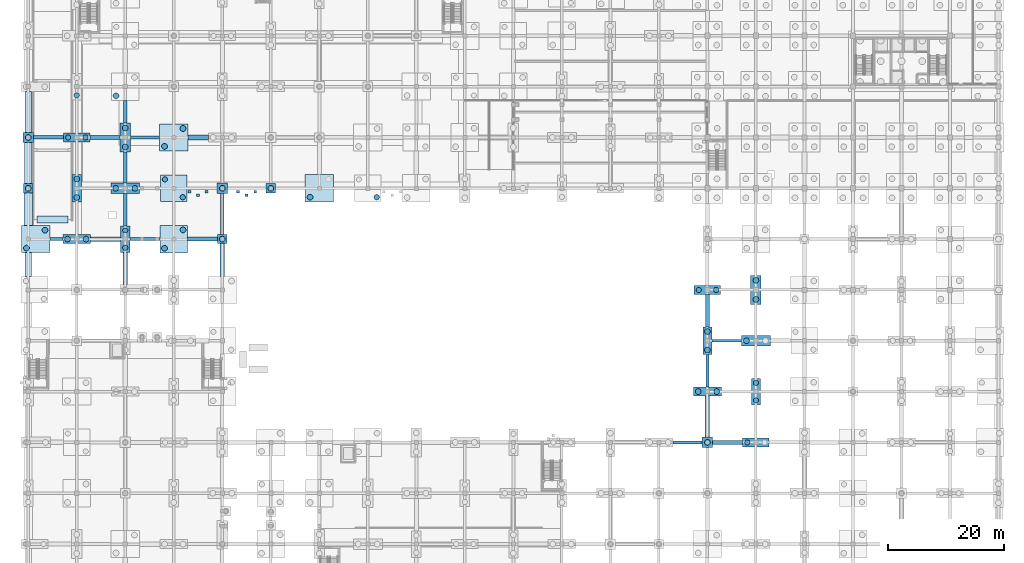
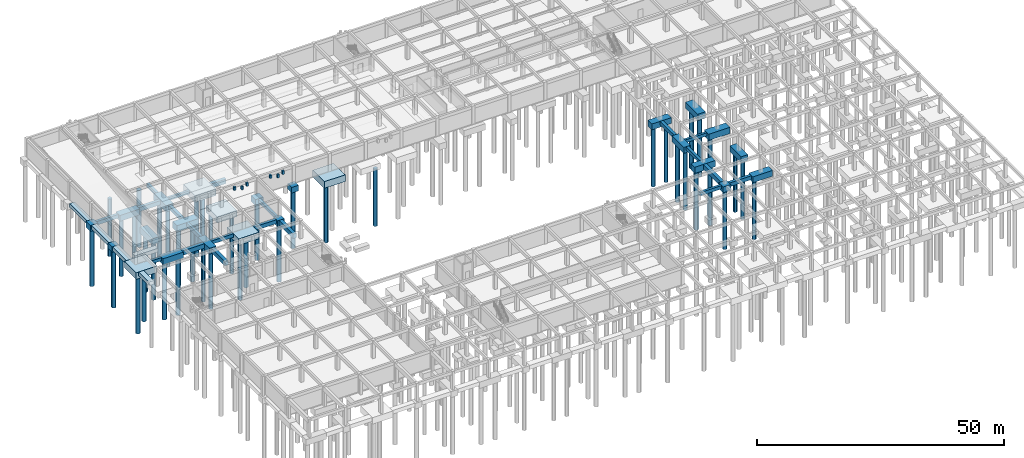
# One storey, part 5 of 41: 55 footings, 42 piles.
"""IFC4 building model written with IfcOpenShell, lengths in metres."""

from ifc_helpers import new_model, si_unit, direction, frame, origin, origin_2d, place, context, subcontext, project, spatial, rectangle, circle, extrude, material, material_profile, profile_set, type_object, element, save


model = new_model("IFC4")

# Units and contexts
model_context = context("Model", 3, precision=1e-05, world=origin(), true_north=direction((0.0, 1.0)))
body_context = subcontext(model_context, "Body", "Model", "MODEL_VIEW")
ifc_project = project(units=[si_unit("LENGTHUNIT", "METRE"), si_unit("AREAUNIT", "SQUARE_METRE"), si_unit("VOLUMEUNIT", "CUBIC_METRE"), si_unit("PLANEANGLEUNIT", "RADIAN"), si_unit("MASSUNIT", "GRAM", prefix="KILO")], contexts=[model_context])

# Site, building, storey
site_placement = place(None, origin())
site = spatial("IfcSite", under=ifc_project, at=site_placement, CompositionType="ELEMENT")
building_placement = place(site_placement, origin())
building = spatial("IfcBuilding", under=site, at=building_placement, Name="Kemercrest Conservatory and Botanical Centre", CompositionType="ELEMENT")
storey_placement = place(building_placement, frame((0.0, 0.0, -4.5)))
storey = spatial("IfcBuildingStorey", under=building, at=storey_placement, Name="B1", CompositionType="ELEMENT", Elevation=-4.5)

# Piles
ifc_material = material(Name="Concrete C40/50", Category="concrete")
ifc_material_profile_1 = material_profile(ifc_material, circle(Radius=0.5, at=origin_2d()), Name="BORED PILE 1000")
ifc_profile_set_1 = profile_set([ifc_material_profile_1], Name="Concrete C40/50")
pile_type_1 = type_object("IfcPileType", Name="BP-01", PredefinedType="BORED", material=ifc_profile_set_1)
for number, where, z_axis, x_axis, name in (
    (1, (7.699951171875, 76.85009765625, -1.9599609375), (0.0, 0.0, -1.0), (1.0, 0.0, 0.0), "Bored pile BP-01 #32"),
    (2, (10.89990234375, 79.949951171875, -1.9599609375), (0.0, 0.0, -1.0), (1.0, 0.0, 0.0), "Bored pile BP-01 #33"),
):
    element("IfcPile", number, at=place(storey_placement, frame(where, z_axis=z_axis, x_axis=x_axis)), inside=storey, type_object=pile_type_1, Name=name, PredefinedType="BORED", context=body_context, shape_type="SweptSolid", body=[
        extrude(circle(Radius=0.5, at=origin_2d()), origin(), (0.0, 0.0, 1.0), 14.0400390625),
    ])
pile_1_placement = place(storey_placement, frame((8.0, 87.199951171875, -1.7099609375), z_axis=(0.0, 0.0, -1.0), x_axis=(1.0, 0.0, 0.0)))
element("IfcPile", 3, at=pile_1_placement, inside=storey, type_object=pile_type_1, Name="Bored pile BP-01 #34", PredefinedType="BORED", context=body_context, shape_type="SweptSolid", body=[
    extrude(circle(Radius=0.5, at=origin_2d()), origin(), (0.0, 0.0, 1.0), 14.2900390625),
])
pile_2_placement = place(storey_placement, frame((8.0, 96.0, -1.760009765625), z_axis=(0.0, 0.0, -1.0), x_axis=(1.0, 0.0, 0.0)))
element("IfcPile", 4, at=pile_2_placement, inside=storey, type_object=pile_type_1, Name="Bored pile BP-01 #35", PredefinedType="BORED", context=body_context, shape_type="SweptSolid", body=[
    extrude(circle(Radius=0.5, at=origin_2d()), origin(), (0.0, 0.0, 1.0), 14.239990234375),
])
for number, where, z_axis, x_axis, name in (
    (5, (14.800048828125, 78.39990234375, -1.81005859375), (0.0, 0.0, -1.0), (1.0, 0.0, 0.0), "Bored pile BP-01 #56"),
    (6, (18.0, 78.39990234375, -1.81005859375), (0.0, 0.0, -1.0), (1.0, 0.0, 0.0), "Bored pile BP-01 #57"),
    (7, (16.39990234375, 85.60009765625, -1.81005859375), (0.0, 0.0, -1.0), (1.0, 0.0, 0.0), "Bored pile BP-01 #58"),
    (8, (16.39990234375, 88.800048828125, -1.81005859375), (0.0, 0.0, -1.0), (1.0, 0.0, 0.0), "Bored pile BP-01 #59"),
):
    element("IfcPile", number, at=place(storey_placement, frame(where, z_axis=z_axis, x_axis=x_axis)), inside=storey, type_object=pile_type_1, Name=name, PredefinedType="BORED", context=body_context, shape_type="SweptSolid", body=[
        extrude(circle(Radius=0.5, at=origin_2d()), origin(), (0.0, 0.0, 1.0), 14.18994140625),
    ])
for number, where, z_axis, x_axis, name in (
    (9, (23.14990234375, 87.199951171875, -1.860107421875), (0.0, 0.0, -1.0), (1.0, 0.0, 0.0), "Bored pile BP-01 #84"),
    (10, (26.449951171875, 87.199951171875, -1.860107421875), (0.0, 0.0, -1.0), (1.0, 0.0, 0.0), "Bored pile BP-01 #85"),
    (11, (24.800048828125, 94.35009765625, -1.860107421875), (0.0, 0.0, -1.0), (1.0, 0.0, 0.0), "Bored pile BP-01 #86"),
    (12, (24.800048828125, 97.64990234375, -1.860107421875), (0.0, 0.0, -1.0), (1.0, 0.0, 0.0), "Bored pile BP-01 #87"),
):
    element("IfcPile", number, at=place(storey_placement, frame(where, z_axis=z_axis, x_axis=x_axis)), inside=storey, type_object=pile_type_1, Name=name, PredefinedType="BORED", context=body_context, shape_type="SweptSolid", body=[
        extrude(circle(Radius=0.5, at=origin_2d()), origin(), (0.0, 0.0, 1.0), 14.139892578125),
    ])
for number, where, z_axis, x_axis, name in (
    (13, (23.199951171875, 103.199951171875, -1.909912109375), (0.0, 0.0, -1.0), (1.0, 0.0, 0.0), "Bored pile BP-01 #88"),
    (14, (31.60009765625, 76.800048828125, -1.909912109375), (0.0, 0.0, -1.0), (1.0, 0.0, 0.0), "Bored pile BP-01 #108"),
    (15, (34.800048828125, 80.0, -1.909912109375), (0.0, 0.0, -1.0), (1.0, 0.0, 0.0), "Bored pile BP-01 #109"),
):
    element("IfcPile", number, at=place(storey_placement, frame(where, z_axis=z_axis, x_axis=x_axis)), inside=storey, type_object=pile_type_1, Name=name, PredefinedType="BORED", context=body_context, shape_type="SweptSolid", body=[
        extrude(circle(Radius=0.5, at=origin_2d()), origin(), (0.0, 0.0, 1.0), 14.090087890625),
    ])
for number, where, z_axis, x_axis, name in (
    (16, (31.60009765625, 94.449951171875, -1.9599609375), (0.0, 0.0, -1.0), (1.0, 0.0, 0.0), "Bored pile BP-01 #112"),
    (17, (34.800048828125, 97.550048828125, -1.9599609375), (0.0, 0.0, -1.0), (1.0, 0.0, 0.0), "Bored pile BP-01 #113"),
):
    element("IfcPile", number, at=place(storey_placement, frame(where, z_axis=z_axis, x_axis=x_axis)), inside=storey, type_object=pile_type_1, Name=name, PredefinedType="BORED", context=body_context, shape_type="SweptSolid", body=[
        extrude(circle(Radius=0.5, at=origin_2d()), origin(), (0.0, 0.0, 1.0), 14.0400390625),
    ])
pile_3_placement = place(storey_placement, frame((41.60009765625, 78.39990234375, -1.7099609375), z_axis=(0.0, 0.0, -1.0), x_axis=(1.0, 0.0, 0.0)))
element("IfcPile", 18, at=pile_3_placement, inside=storey, type_object=pile_type_1, Name="Bored pile BP-01 #134", PredefinedType="BORED", context=body_context, shape_type="SweptSolid", body=[
    extrude(circle(Radius=0.5, at=origin_2d()), origin(), (0.0, 0.0, 1.0), 14.2900390625),
])
pile_4_placement = place(storey_placement, frame((41.60009765625, 87.199951171875, -1.760009765625), z_axis=(0.0, 0.0, -1.0), x_axis=(1.0, 0.0, 0.0)))
element("IfcPile", 19, at=pile_4_placement, inside=storey, type_object=pile_type_1, Name="Bored pile BP-01 #135", PredefinedType="BORED", context=body_context, shape_type="SweptSolid", body=[
    extrude(circle(Radius=0.5, at=origin_2d()), origin(), (0.0, 0.0, 1.0), 14.239990234375),
])
pile_5_placement = place(storey_placement, frame((50.0, 87.199951171875, -1.7099609375), z_axis=(0.0, 0.0, -1.0), x_axis=(1.0, 0.0, 0.0)))
element("IfcPile", 20, at=pile_5_placement, inside=storey, type_object=pile_type_1, Name="Bored pile BP-01 #154", PredefinedType="BORED", context=body_context, shape_type="SweptSolid", body=[
    extrude(circle(Radius=0.5, at=origin_2d()), origin(), (0.0, 0.0, 1.0), 14.2900390625),
])
pile_6_placement = place(storey_placement, frame((56.800048828125, 85.64990234375, -1.9599609375), z_axis=(0.0, 0.0, -1.0), x_axis=(1.0, 0.0, 0.0)))
element("IfcPile", 21, at=pile_6_placement, inside=storey, type_object=pile_type_1, Name="Bored pile BP-01 #172", PredefinedType="BORED", context=body_context, shape_type="SweptSolid", body=[
    extrude(circle(Radius=0.5, at=origin_2d()), origin(), (0.0, 0.0, 1.0), 14.0400390625),
])
pile_7_placement = place(storey_placement, frame((125.60009765625, 43.199951171875, -1.35009765625), z_axis=(0.0, 0.0, -1.0), x_axis=(1.0, 0.0, 0.0)))
element("IfcPile", 22, at=pile_7_placement, inside=storey, type_object=pile_type_1, Name="Bored pile BP-01 #315", PredefinedType="BORED", context=body_context, shape_type="SweptSolid", body=[
    extrude(circle(Radius=0.5, at=origin_2d()), origin(), (0.0, 0.0, 1.0), 14.64990234375),
])
for number, where, z_axis, x_axis, name in (
    (23, (124.0, 52.0, -1.39990234375), (0.0, 0.0, -1.0), (1.0, 0.0, 0.0), "Bored pile BP-01 #316"),
    (24, (127.199951171875, 52.0, -1.39990234375), (0.0, 0.0, -1.0), (1.0, 0.0, 0.0), "Bored pile BP-01 #317"),
    (25, (125.60009765625, 59.199951171875, -1.39990234375), (0.0, 0.0, -1.0), (1.0, 0.0, 0.0), "Bored pile BP-01 #318"),
    (26, (125.60009765625, 62.39990234375, -1.39990234375), (0.0, 0.0, -1.0), (1.0, 0.0, 0.0), "Bored pile BP-01 #319"),
):
    element("IfcPile", number, at=place(storey_placement, frame(where, z_axis=z_axis, x_axis=x_axis)), inside=storey, type_object=pile_type_1, Name=name, PredefinedType="BORED", context=body_context, shape_type="SweptSolid", body=[
        extrude(circle(Radius=0.5, at=origin_2d()), origin(), (0.0, 0.0, 1.0), 14.60009765625),
    ])
for number, where, z_axis, x_axis, name in (
    (27, (132.35009765625, 60.800048828125, -1.449951171875), (0.0, 0.0, -1.0), (1.0, 0.0, 0.0), "Bored pile BP-01 #354"),
    (28, (134.0, 67.949951171875, -1.449951171875), (0.0, 0.0, -1.0), (1.0, 0.0, 0.0), "Bored pile BP-01 #356"),
    (29, (134.0, 71.25, -1.449951171875), (0.0, 0.0, -1.0), (1.0, 0.0, 0.0), "Bored pile BP-01 #357"),
):
    element("IfcPile", number, at=place(storey_placement, frame(where, z_axis=z_axis, x_axis=x_axis)), inside=storey, type_object=pile_type_1, Name=name, PredefinedType="BORED", context=body_context, shape_type="SweptSolid", body=[
        extrude(circle(Radius=0.5, at=origin_2d()), origin(), (0.0, 0.0, 1.0), 14.550048828125),
    ])
ifc_material_profile_2 = material_profile(ifc_material, circle(Radius=0.449951171875, at=origin_2d()), Name="BORED PILE 900")
ifc_profile_set_2 = profile_set([ifc_material_profile_2], Name="Concrete C40/50")
pile_type_2 = type_object("IfcPileType", Name="BP-02", PredefinedType="BORED", material=ifc_profile_set_2)
for number, where, z_axis, x_axis, name in (
    (30, (14.89990234375, 96.0, -1.760009765625), (0.0, 0.0, -1.0), (1.0, 0.0, 0.0), "Bored pile BP-02 #60"),
    (31, (17.89990234375, 96.0, -1.760009765625), (0.0, 0.0, -1.0), (1.0, 0.0, 0.0), "Bored pile BP-02 #61"),
    (32, (16.39990234375, 103.300048828125, -1.760009765625), (0.0, 0.0, -1.0), (1.0, 0.0, 0.0), "Bored pile BP-02 #62"),
    (33, (24.800048828125, 76.89990234375, -1.760009765625), (0.0, 0.0, -1.0), (1.0, 0.0, 0.0), "Bored pile BP-02 #82"),
    (34, (24.800048828125, 79.89990234375, -1.760009765625), (0.0, 0.0, -1.0), (1.0, 0.0, 0.0), "Bored pile BP-02 #83"),
):
    element("IfcPile", number, at=place(storey_placement, frame(where, z_axis=z_axis, x_axis=x_axis)), inside=storey, type_object=pile_type_2, Name=name, PredefinedType="BORED", context=body_context, shape_type="SweptSolid", body=[
        extrude(circle(Radius=0.449951171875, at=origin_2d()), origin(), (0.0, 0.0, 1.0), 14.239990234375),
    ])
for number, where, z_axis, x_axis, name in (
    (35, (31.64990234375, 88.75, -1.81005859375), (0.0, 0.0, -1.0), (1.0, 0.0, 0.0), "Bored pile BP-02 #110"),
    (36, (34.75, 85.64990234375, -1.81005859375), (0.0, 0.0, -1.0), (1.0, 0.0, 0.0), "Bored pile BP-02 #111"),
    (37, (68.35009765625, 85.64990234375, -1.81005859375), (0.0, 0.0, -1.0), (1.0, 0.0, 0.0), "Bored pile BP-02 #191"),
):
    element("IfcPile", number, at=place(storey_placement, frame(where, z_axis=z_axis, x_axis=x_axis)), inside=storey, type_object=pile_type_2, Name=name, PredefinedType="BORED", context=body_context, shape_type="SweptSolid", body=[
        extrude(circle(Radius=0.449951171875, at=origin_2d()), origin(), (0.0, 0.0, 1.0), 14.18994140625),
    ])
for number, where, z_axis, x_axis, name in (
    (38, (124.10009765625, 69.60009765625, -1.35009765625), (0.0, 0.0, -1.0), (1.0, 0.0, 0.0), "Bored pile BP-02 #320"),
    (39, (127.10009765625, 69.60009765625, -1.35009765625), (0.0, 0.0, -1.0), (1.0, 0.0, 0.0), "Bored pile BP-02 #321"),
    (40, (132.5, 43.199951171875, -1.35009765625), (0.0, 0.0, -1.0), (1.0, 0.0, 0.0), "Bored pile BP-02 #350"),
    (41, (134.0, 50.5, -1.35009765625), (0.0, 0.0, -1.0), (1.0, 0.0, 0.0), "Bored pile BP-02 #352"),
    (42, (134.0, 53.5, -1.35009765625), (0.0, 0.0, -1.0), (1.0, 0.0, 0.0), "Bored pile BP-02 #353"),
):
    element("IfcPile", number, at=place(storey_placement, frame(where, z_axis=z_axis, x_axis=x_axis)), inside=storey, type_object=pile_type_2, Name=name, PredefinedType="BORED", context=body_context, shape_type="SweptSolid", body=[
        extrude(circle(Radius=0.449951171875, at=origin_2d()), origin(), (0.0, 0.0, 1.0), 14.64990234375),
    ])

# Footings
footing_type_1 = type_object("IfcFootingType", Name="FB-01", PredefinedType="FOOTING_BEAM", material=ifc_material)
footing_1_placement = place(storey_placement, frame((11.5, 96.0, -1.31005859375), z_axis=(0.0, 0.0, 1.0), x_axis=(1.0, 0.0, 0.0)))
element("IfcFooting", 43, at=footing_1_placement, inside=storey, type_object=footing_type_1, Name="Seismic tie footing beam FB-01", PredefinedType="FOOTING_BEAM", context=body_context, shape_type="SweptSolid", body=[
    extrude(rectangle(XDim=5.199951171875, YDim=0.60009765625, at=origin_2d()), origin(), (0.0, 0.0, 1.0), 0.89990234375),
])
footing_2_placement = place(storey_placement, frame((24.800048828125, 100.449951171875, -1.31005859375), z_axis=(0.0, 0.0, 1.0), x_axis=(1.0, 0.0, 0.0)))
element("IfcFooting", 44, at=footing_2_placement, inside=storey, type_object=footing_type_1, Name="Seismic tie footing beam FB-01", PredefinedType="FOOTING_BEAM", context=body_context, shape_type="SweptSolid", body=[
    extrude(rectangle(XDim=0.60009765625, YDim=3.89990234375, at=origin_2d()), origin(), (0.0, 0.0, 1.0), 0.89990234375),
])
footing_type_2 = type_object("IfcFootingType", Name="FB-02", PredefinedType="FOOTING_BEAM", material=ifc_material)
footing_3_placement = place(storey_placement, frame((21.300048828125, 96.0, -1.409912109375), z_axis=(0.0, 0.0, 1.0), x_axis=(1.0, 0.0, 0.0)))
element("IfcFooting", 45, at=footing_3_placement, inside=storey, type_object=footing_type_2, Name="Seismic tie footing beam FB-02", PredefinedType="FOOTING_BEAM", context=body_context, shape_type="SweptSolid", body=[
    extrude(rectangle(XDim=5.199951171875, YDim=0.699951171875, at=origin_2d()), origin(), (0.0, 0.0, 1.0), 1.0),
])
footing_type_3 = type_object("IfcFootingType", Name="FB-03", PredefinedType="FOOTING_BEAM", material=ifc_material)
footing_4_placement = place(storey_placement, frame((128.949951171875, 60.800048828125, -0.7998046875), z_axis=(0.0, 0.0, 1.0), x_axis=(1.0, 0.0, 0.0)))
element("IfcFooting", 46, at=footing_4_placement, inside=storey, type_object=footing_type_3, Name="Seismic tie footing beam FB-03", PredefinedType="FOOTING_BEAM", context=body_context, shape_type="SweptSolid", body=[
    extrude(rectangle(XDim=5.10009765625, YDim=0.5, at=origin_2d()), origin(), (0.0, 0.0, 1.0), 0.800048828125),
])
footing_5_placement = place(storey_placement, frame((12.875, 78.39990234375, -1.2099609375), z_axis=(0.0, 0.0, 1.0), x_axis=(1.0, 0.0, 0.0)))
element("IfcFooting", 47, at=footing_5_placement, inside=storey, type_object=footing_type_3, Name="Seismic tie footing beam FB-03", PredefinedType="FOOTING_BEAM", context=body_context, shape_type="SweptSolid", body=[
    extrude(rectangle(XDim=2.25, YDim=0.5, at=origin_2d()), origin(), (0.0, 0.0, 1.0), 0.800048828125),
])
footing_6_placement = place(storey_placement, frame((28.22509765625, 96.0, -1.2099609375), z_axis=(0.0, 0.0, 1.0), x_axis=(1.0, 0.0, 0.0)))
element("IfcFooting", 48, at=footing_6_placement, inside=storey, type_object=footing_type_3, Name="Seismic tie footing beam FB-03", PredefinedType="FOOTING_BEAM", context=body_context, shape_type="SweptSolid", body=[
    extrude(rectangle(XDim=5.050048828125, YDim=0.5, at=origin_2d()), origin(), (0.0, 0.0, 1.0), 0.800048828125),
])
footing_type_4 = type_object("IfcFootingType", Name="FB-04", PredefinedType="FOOTING_BEAM", material=ifc_material)
footing_7_placement = place(storey_placement, frame((21.39990234375, 78.39990234375, -1.510009765625), z_axis=(0.0, 0.0, 1.0), x_axis=(1.0, 0.0, 0.0)))
element("IfcFooting", 49, at=footing_7_placement, inside=storey, type_object=footing_type_4, Name="Seismic tie footing beam FB-04", PredefinedType="FOOTING_BEAM", context=body_context, shape_type="SweptSolid", body=[
    extrude(rectangle(XDim=5.199951171875, YDim=0.800048828125, at=origin_2d()), origin(), (0.0, 0.0, 1.0), 1.10009765625),
])
footing_8_placement = place(storey_placement, frame((37.425048828125, 96.0, -1.510009765625), z_axis=(0.0, 0.0, 1.0), x_axis=(1.0, 0.0, 0.0)))
element("IfcFooting", 50, at=footing_8_placement, inside=storey, type_object=footing_type_4, Name="Seismic tie footing beam FB-04", PredefinedType="FOOTING_BEAM", context=body_context, shape_type="SweptSolid", body=[
    extrude(rectangle(XDim=3.550048828125, YDim=0.800048828125, at=origin_2d()), origin(), (0.0, 0.0, 1.0), 1.10009765625),
])
footing_9_placement = place(storey_placement, frame((24.800048828125, 73.300048828125, -1.510009765625), z_axis=(0.0, 0.0, 1.0), x_axis=(1.0, 0.0, 0.0)))
element("IfcFooting", 51, at=footing_9_placement, inside=storey, type_object=footing_type_4, Name="Seismic tie footing beam FB-04", PredefinedType="FOOTING_BEAM", context=body_context, shape_type="SweptSolid", body=[
    extrude(rectangle(XDim=0.800048828125, YDim=5.60009765625, at=origin_2d()), origin(), (0.0, 0.0, 1.0), 1.10009765625),
])
footing_10_placement = place(storey_placement, frame((41.60009765625, 74.77490234375, -1.510009765625), z_axis=(0.0, 0.0, 1.0), x_axis=(1.0, 0.0, 0.0)))
element("IfcFooting", 52, at=footing_10_placement, inside=storey, type_object=footing_type_4, Name="Seismic tie footing beam FB-04", PredefinedType="FOOTING_BEAM", context=body_context, shape_type="SweptSolid", body=[
    extrude(rectangle(XDim=0.800048828125, YDim=5.64990234375, at=origin_2d()), origin(), (0.0, 0.0, 1.0), 1.10009765625),
])
footing_11_placement = place(storey_placement, frame((125.60009765625, 47.64990234375, -1.10009765625), z_axis=(0.0, 0.0, 1.0), x_axis=(1.0, 0.0, 0.0)))
element("IfcFooting", 53, at=footing_11_placement, inside=storey, type_object=footing_type_4, Name="Seismic tie footing beam FB-04", PredefinedType="FOOTING_BEAM", context=body_context, shape_type="SweptSolid", body=[
    extrude(rectangle(XDim=0.800048828125, YDim=7.10009765625, at=origin_2d()), origin(), (0.0, 0.0, 1.0), 1.10009765625),
])
footing_type_5 = type_object("IfcFootingType", Name="FB-05", PredefinedType="FOOTING_BEAM", material=ifc_material)
footing_12_placement = place(storey_placement, frame((122.14990234375, 43.199951171875, -0.85009765625), z_axis=(0.0, 0.0, 1.0), x_axis=(1.0, 0.0, 0.0)))
element("IfcFooting", 54, at=footing_12_placement, inside=storey, type_object=footing_type_5, Name="Seismic tie footing beam FB-05", PredefinedType="FOOTING_BEAM", context=body_context, shape_type="SweptSolid", body=[
    extrude(rectangle(XDim=5.10009765625, YDim=0.550048828125, at=origin_2d()), origin(), (0.0, 0.0, 1.0), 0.85009765625),
])
footing_13_placement = place(storey_placement, frame((28.199951171875, 78.39990234375, -1.260009765625), z_axis=(0.0, 0.0, 1.0), x_axis=(1.0, 0.0, 0.0)))
element("IfcFooting", 55, at=footing_13_placement, inside=storey, type_object=footing_type_5, Name="Seismic tie footing beam FB-05", PredefinedType="FOOTING_BEAM", context=body_context, shape_type="SweptSolid", body=[
    extrude(rectangle(XDim=5.199951171875, YDim=0.550048828125, at=origin_2d()), origin(), (0.0, 0.0, 1.0), 0.85009765625),
])
footing_14_placement = place(storey_placement, frame((24.800048828125, 83.5, -1.260009765625), z_axis=(0.0, 0.0, 1.0), x_axis=(1.0, 0.0, 0.0)))
element("IfcFooting", 56, at=footing_14_placement, inside=storey, type_object=footing_type_5, Name="Seismic tie footing beam FB-05", PredefinedType="FOOTING_BEAM", context=body_context, shape_type="SweptSolid", body=[
    extrude(rectangle(XDim=0.550048828125, YDim=5.60009765625, at=origin_2d()), origin(), (0.0, 0.0, 1.0), 0.85009765625),
])
footing_15_placement = place(storey_placement, frame((41.60009765625, 82.75, -1.260009765625), z_axis=(0.0, 0.0, 1.0), x_axis=(1.0, 0.0, 0.0)))
element("IfcFooting", 57, at=footing_15_placement, inside=storey, type_object=footing_type_5, Name="Seismic tie footing beam FB-05", PredefinedType="FOOTING_BEAM", context=body_context, shape_type="SweptSolid", body=[
    extrude(rectangle(XDim=0.550048828125, YDim=7.10009765625, at=origin_2d()), origin(), (0.0, 0.0, 1.0), 0.85009765625),
])
footing_16_placement = place(storey_placement, frame((125.60009765625, 55.60009765625, -0.85009765625), z_axis=(0.0, 0.0, 1.0), x_axis=(1.0, 0.0, 0.0)))
element("IfcFooting", 58, at=footing_16_placement, inside=storey, type_object=footing_type_5, Name="Seismic tie footing beam FB-05", PredefinedType="FOOTING_BEAM", context=body_context, shape_type="SweptSolid", body=[
    extrude(rectangle(XDim=0.550048828125, YDim=5.60009765625, at=origin_2d()), origin(), (0.0, 0.0, 1.0), 0.85009765625),
])
footing_type_6 = type_object("IfcFootingType", Name="FB-06", PredefinedType="FOOTING_BEAM", material=ifc_material)
for number, where, z_axis, x_axis, name in (
    (59, (129.10009765625, 43.199951171875, -0.9501953125), (0.0, 0.0, 1.0), (1.0, 0.0, 0.0), "Seismic tie footing beam FB-06"),
    (60, (38.199951171875, 78.39990234375, -1.35986328125), (0.0, 0.0, 1.0), (1.0, 0.0, 0.0), "Seismic tie footing beam FB-06"),
):
    element("IfcFooting", number, at=place(storey_placement, frame(where, z_axis=z_axis, x_axis=x_axis)), inside=storey, type_object=footing_type_6, Name=name, PredefinedType="FOOTING_BEAM", context=body_context, shape_type="SweptSolid", body=[
        extrude(rectangle(XDim=5.199951171875, YDim=0.64990234375, at=origin_2d()), origin(), (0.0, 0.0, 1.0), 0.949951171875),
    ])
footing_17_placement = place(storey_placement, frame((24.800048828125, 90.800048828125, -1.35986328125), z_axis=(0.0, 0.0, 1.0), x_axis=(1.0, 0.0, 0.0)))
element("IfcFooting", 61, at=footing_17_placement, inside=storey, type_object=footing_type_6, Name="Seismic tie footing beam FB-06", PredefinedType="FOOTING_BEAM", context=body_context, shape_type="SweptSolid", body=[
    extrude(rectangle(XDim=0.64990234375, YDim=5.39990234375, at=origin_2d()), origin(), (0.0, 0.0, 1.0), 0.949951171875),
])
footing_18_placement = place(storey_placement, frame((125.60009765625, 66.0, -0.9501953125), z_axis=(0.0, 0.0, 1.0), x_axis=(1.0, 0.0, 0.0)))
element("IfcFooting", 62, at=footing_18_placement, inside=storey, type_object=footing_type_6, Name="Seismic tie footing beam FB-06", PredefinedType="FOOTING_BEAM", context=body_context, shape_type="SweptSolid", body=[
    extrude(rectangle(XDim=0.64990234375, YDim=5.60009765625, at=origin_2d()), origin(), (0.0, 0.0, 1.0), 0.949951171875),
])
footing_type_7 = type_object("IfcFootingType", Name="PC-01", PredefinedType="PILE_CAP", material=ifc_material)
for number, where, z_axis, x_axis, name in (
    (63, (8.0, 87.199951171875, -1.81005859375), (0.0, 0.0, 1.0), (1.0, 0.0, 0.0), "Pile cap PC-01 at (8.0, 87.2)"),
    (64, (41.60009765625, 78.39990234375, -1.81005859375), (0.0, 0.0, 1.0), (1.0, 0.0, 0.0), "Pile cap PC-01 at (41.6, 78.4)"),
    (65, (50.0, 87.199951171875, -1.81005859375), (0.0, 0.0, 1.0), (1.0, 0.0, 0.0), "Pile cap PC-01 at (50.0, 87.2)"),
):
    element("IfcFooting", number, at=place(storey_placement, frame(where, z_axis=z_axis, x_axis=x_axis)), inside=storey, type_object=footing_type_7, Name=name, PredefinedType="PILE_CAP", context=body_context, shape_type="SweptSolid", body=[
        extrude(rectangle(XDim=1.60009765625, YDim=1.60009765625, at=origin_2d()), origin(), (0.0, 0.0, 1.0), 1.39990234375),
    ])
footing_type_8 = type_object("IfcFootingType", Name="PC-02", PredefinedType="PILE_CAP", material=ifc_material)
for number, where, z_axis, x_axis, name in (
    (66, (16.39990234375, 78.39990234375, -1.909912109375), (0.0, 0.0, 1.0), (1.0, 0.0, 0.0), "Pile cap PC-02 at (16.4, 78.4)"),
    (67, (125.60009765625, 52.0, -1.5), (0.0, 0.0, 1.0), (1.0, 0.0, 0.0), "Pile cap PC-02 at (125.6, 52.0)"),
):
    element("IfcFooting", number, at=place(storey_placement, frame(where, z_axis=z_axis, x_axis=x_axis)), inside=storey, type_object=footing_type_8, Name=name, PredefinedType="PILE_CAP", context=body_context, shape_type="SweptSolid", body=[
        extrude(rectangle(XDim=4.800048828125, YDim=1.60009765625, at=origin_2d()), origin(), (0.0, 0.0, 1.0), 1.5),
    ])
footing_type_9 = type_object("IfcFootingType", Name="PC-03", PredefinedType="PILE_CAP", material=ifc_material)
for number, where, z_axis, x_axis, name in (
    (68, (16.39990234375, 87.199951171875, -1.909912109375), (0.0, 0.0, 1.0), (1.0, 0.0, 0.0), "Pile cap PC-03 at (16.4, 87.2)"),
    (69, (125.60009765625, 60.800048828125, -1.5), (0.0, 0.0, 1.0), (1.0, 0.0, 0.0), "Pile cap PC-03 at (125.6, 60.8)"),
):
    element("IfcFooting", number, at=place(storey_placement, frame(where, z_axis=z_axis, x_axis=x_axis)), inside=storey, type_object=footing_type_9, Name=name, PredefinedType="PILE_CAP", context=body_context, shape_type="SweptSolid", body=[
        extrude(rectangle(XDim=1.60009765625, YDim=4.800048828125, at=origin_2d()), origin(), (0.0, 0.0, 1.0), 1.5),
    ])
footing_type_10 = type_object("IfcFootingType", Name="PC-04", PredefinedType="PILE_CAP", material=ifc_material)
footing_19_placement = place(storey_placement, frame((33.199951171875, 78.39990234375, -2.010009765625), z_axis=(0.0, 0.0, 1.0), x_axis=(1.0, 0.0, 0.0)))
element("IfcFooting", 70, at=footing_19_placement, inside=storey, type_object=footing_type_10, Name="Pile cap PC-04 at (33.2, 78.4)", PredefinedType="PILE_CAP", context=body_context, shape_type="SweptSolid", body=[
    extrude(rectangle(XDim=4.800048828125, YDim=4.800048828125, at=origin_2d()), origin(), (0.0, 0.0, 1.0), 1.60009765625),
])
footing_type_11 = type_object("IfcFootingType", Name="PC-05", PredefinedType="PILE_CAP", material=ifc_material)
footing_20_placement = place(storey_placement, frame((33.199951171875, 87.199951171875, -1.909912109375), z_axis=(0.0, 0.0, 1.0), x_axis=(1.0, 0.0, 0.0)))
element("IfcFooting", 71, at=footing_20_placement, inside=storey, type_object=footing_type_11, Name="Pile cap PC-05 at (33.2, 87.2)", PredefinedType="PILE_CAP", context=body_context, shape_type="SweptSolid", body=[
    extrude(rectangle(XDim=4.60009765625, YDim=4.60009765625, at=origin_2d()), origin(), (0.0, 0.0, 1.0), 1.5),
])
footing_type_12 = type_object("IfcFootingType", Name="PC-08", PredefinedType="PILE_CAP", material=ifc_material)
for number, where, z_axis, x_axis, name in (
    (72, (16.39990234375, 96.0, -1.85986328125), (0.0, 0.0, 1.0), (1.0, 0.0, 0.0), "Pile cap PC-08 at (16.4, 96.0)"),
    (73, (125.60009765625, 69.60009765625, -1.4501953125), (0.0, 0.0, 1.0), (1.0, 0.0, 0.0), "Pile cap PC-08 at (125.6, 69.6)"),
    (74, (134.0, 43.199951171875, -1.4501953125), (0.0, 0.0, 1.0), (1.0, 0.0, 0.0), "Pile cap PC-08 at (134.0, 43.2)"),
):
    element("IfcFooting", number, at=place(storey_placement, frame(where, z_axis=z_axis, x_axis=x_axis)), inside=storey, type_object=footing_type_12, Name=name, PredefinedType="PILE_CAP", context=body_context, shape_type="SweptSolid", body=[
        extrude(rectangle(XDim=4.60009765625, YDim=1.60009765625, at=origin_2d()), origin(), (0.0, 0.0, 1.0), 1.449951171875),
    ])
footing_type_13 = type_object("IfcFootingType", Name="PC-09", PredefinedType="PILE_CAP", material=ifc_material)
for number, where, z_axis, x_axis, name in (
    (75, (24.800048828125, 78.39990234375, -1.85986328125), (0.0, 0.0, 1.0), (1.0, 0.0, 0.0), "Pile cap PC-09 at (24.8, 78.4)"),
    (76, (134.0, 52.0, -1.4501953125), (0.0, 0.0, 1.0), (1.0, 0.0, 0.0), "Pile cap PC-09 at (134.0, 52.0)"),
):
    element("IfcFooting", number, at=place(storey_placement, frame(where, z_axis=z_axis, x_axis=x_axis)), inside=storey, type_object=footing_type_13, Name=name, PredefinedType="PILE_CAP", context=body_context, shape_type="SweptSolid", body=[
        extrude(rectangle(XDim=1.60009765625, YDim=4.60009765625, at=origin_2d()), origin(), (0.0, 0.0, 1.0), 1.449951171875),
    ])
footing_type_14 = type_object("IfcFootingType", Name="PC-12", PredefinedType="PILE_CAP", material=ifc_material)
for number, where, z_axis, x_axis, name in (
    (77, (8.0, 96.0, -1.85986328125), (0.0, 0.0, 1.0), (1.0, 0.0, 0.0), "Pile cap PC-12 at (8.0, 96.0)"),
    (78, (41.60009765625, 87.199951171875, -1.85986328125), (0.0, 0.0, 1.0), (1.0, 0.0, 0.0), "Pile cap PC-12 at (41.6, 87.2)"),
    (79, (125.60009765625, 43.199951171875, -1.4501953125), (0.0, 0.0, 1.0), (1.0, 0.0, 0.0), "Pile cap PC-12 at (125.6, 43.2)"),
):
    element("IfcFooting", number, at=place(storey_placement, frame(where, z_axis=z_axis, x_axis=x_axis)), inside=storey, type_object=footing_type_14, Name=name, PredefinedType="PILE_CAP", context=body_context, shape_type="SweptSolid", body=[
        extrude(rectangle(XDim=1.800048828125, YDim=1.800048828125, at=origin_2d()), origin(), (0.0, 0.0, 1.0), 1.449951171875),
    ])
footing_type_15 = type_object("IfcFootingType", Name="PC-13", PredefinedType="PILE_CAP", material=ifc_material)
for number, where, z_axis, x_axis, name in (
    (80, (24.800048828125, 87.199951171875, -1.9599609375), (0.0, 0.0, 1.0), (1.0, 0.0, 0.0), "Pile cap PC-13 at (24.8, 87.2)"),
    (81, (134.0, 60.800048828125, -1.5498046875), (0.0, 0.0, 1.0), (1.0, 0.0, 0.0), "Pile cap PC-13 at (134.0, 60.8)"),
):
    element("IfcFooting", number, at=place(storey_placement, frame(where, z_axis=z_axis, x_axis=x_axis)), inside=storey, type_object=footing_type_15, Name=name, PredefinedType="PILE_CAP", context=body_context, shape_type="SweptSolid", body=[
        extrude(rectangle(XDim=5.0, YDim=1.800048828125, at=origin_2d()), origin(), (0.0, 0.0, 1.0), 1.550048828125),
    ])
footing_type_16 = type_object("IfcFootingType", Name="PC-14", PredefinedType="PILE_CAP", material=ifc_material)
for number, where, z_axis, x_axis, name in (
    (82, (24.800048828125, 96.0, -1.9599609375), (0.0, 0.0, 1.0), (1.0, 0.0, 0.0), "Pile cap PC-14 at (24.8, 96.0)"),
    (83, (134.0, 69.60009765625, -1.5498046875), (0.0, 0.0, 1.0), (1.0, 0.0, 0.0), "Pile cap PC-14 at (134.0, 69.6)"),
):
    element("IfcFooting", number, at=place(storey_placement, frame(where, z_axis=z_axis, x_axis=x_axis)), inside=storey, type_object=footing_type_16, Name=name, PredefinedType="PILE_CAP", context=body_context, shape_type="SweptSolid", body=[
        extrude(rectangle(XDim=1.800048828125, YDim=5.0, at=origin_2d()), origin(), (0.0, 0.0, 1.0), 1.550048828125),
    ])
footing_type_17 = type_object("IfcFootingType", Name="PC-16", PredefinedType="PILE_CAP", material=ifc_material)
for number, where, z_axis, x_axis, name in (
    (84, (9.300048828125, 78.39990234375, -2.06005859375), (0.0, 0.0, 1.0), (1.0, 0.0, 0.0), "Pile cap PC-16 at (9.3, 78.4)"),
    (85, (33.199951171875, 96.0, -2.06005859375), (0.0, 0.0, 1.0), (1.0, 0.0, 0.0), "Pile cap PC-16 at (33.2, 96.0)"),
    (86, (58.39990234375, 87.199951171875, -2.06005859375), (0.0, 0.0, 1.0), (1.0, 0.0, 0.0), "Pile cap PC-16 at (58.4, 87.2)"),
):
    element("IfcFooting", number, at=place(storey_placement, frame(where, z_axis=z_axis, x_axis=x_axis)), inside=storey, type_object=footing_type_17, Name=name, PredefinedType="PILE_CAP", context=body_context, shape_type="SweptSolid", body=[
        extrude(rectangle(XDim=4.89990234375, YDim=4.699951171875, at=origin_2d()), origin(), (0.0, 0.0, 1.0), 1.64990234375),
    ])
footing_type_18 = type_object("IfcFootingType", Name="PF-01", PredefinedType="PAD_FOOTING", material=ifc_material)
for number, where, z_axis, x_axis, name in (
    (87, (35.925048828125, 86.60009765625, 3.52001953125), (0.0, 0.0, 1.0), (1.0, 0.0, 0.0), "Threshold pad ED022 grade pad footing L"),
    (88, (38.875, 86.60009765625, 3.52001953125), (0.0, 0.0, 1.0), (1.0, 0.0, 0.0), "Threshold pad ED022 grade pad footing R"),
    (89, (37.39990234375, 86.0, 3.52001953125), (0.0, 0.0, 1.0), (1.0, 0.0, 0.0), "Threshold pad ED022 grade pad footing F"),
    (90, (44.324951171875, 86.60009765625, 3.52001953125), (0.0, 0.0, 1.0), (1.0, 0.0, 0.0), "Threshold pad ED023 grade pad footing L"),
    (91, (47.27490234375, 86.60009765625, 3.52001953125), (0.0, 0.0, 1.0), (1.0, 0.0, 0.0), "Threshold pad ED023 grade pad footing R"),
    (92, (45.800048828125, 86.0, 3.52001953125), (0.0, 0.0, 1.0), (1.0, 0.0, 0.0), "Threshold pad ED023 grade pad footing F"),
):
    element("IfcFooting", number, at=place(storey_placement, frame(where, z_axis=z_axis, x_axis=x_axis)), inside=storey, type_object=footing_type_18, Name=name, PredefinedType="PAD_FOOTING", context=body_context, shape_type="SweptSolid", body=[
        extrude(rectangle(XDim=0.449951171875, YDim=0.449951171875, at=origin_2d()), origin(), (0.0, 0.0, 1.0), 0.800048828125),
    ])
footing_type_19 = type_object("IfcFootingType", Name="SF-01", PredefinedType="STRIP_FOOTING", material=ifc_material)
footing_21_placement = place(storey_placement, frame((12.199951171875, 81.800048828125, -1.2099609375), z_axis=(0.0, 0.0, 1.0), x_axis=(1.0, 0.0, 0.0)))
element("IfcFooting", 93, at=footing_21_placement, inside=storey, type_object=footing_type_19, Name="Vehicle ramp toe strip footing SF-01", PredefinedType="STRIP_FOOTING", context=body_context, shape_type="SweptSolid", body=[
    extrude(rectangle(XDim=5.39990234375, YDim=1.199951171875, at=origin_2d()), origin(), (0.0, 0.0, 1.0), 0.89990234375),
])
footing_22_placement = place(storey_placement, frame((8.0, 73.97509765625, -1.31005859375), z_axis=(0.0, 0.0, 1.0), x_axis=(1.0, 0.0, 0.0)))
element("IfcFooting", 94, at=footing_22_placement, inside=storey, type_object=footing_type_19, Name="Perimeter strip footing SF-01", PredefinedType="STRIP_FOOTING", context=body_context, shape_type="SweptSolid", body=[
    extrude(rectangle(XDim=1.199951171875, YDim=4.14990234375, at=origin_2d()), origin(), (0.0, 0.0, 1.0), 0.89990234375),
])
footing_23_placement = place(storey_placement, frame((8.0, 100.449951171875, -1.31005859375), z_axis=(0.0, 0.0, 1.0), x_axis=(1.0, 0.0, 0.0)))
element("IfcFooting", 95, at=footing_23_placement, inside=storey, type_object=footing_type_19, Name="Perimeter strip footing SF-01", PredefinedType="STRIP_FOOTING", context=body_context, shape_type="SweptSolid", body=[
    extrude(rectangle(XDim=1.199951171875, YDim=7.10009765625, at=origin_2d()), origin(), (0.0, 0.0, 1.0), 0.89990234375),
])
footing_type_20 = type_object("IfcFootingType", Name="SF-02", PredefinedType="STRIP_FOOTING", material=ifc_material)
footing_24_placement = place(storey_placement, frame((8.0, 83.574951171875, -1.409912109375), z_axis=(0.0, 0.0, 1.0), x_axis=(1.0, 0.0, 0.0)))
element("IfcFooting", 96, at=footing_24_placement, inside=storey, type_object=footing_type_20, Name="Perimeter strip footing SF-02", PredefinedType="STRIP_FOOTING", context=body_context, shape_type="SweptSolid", body=[
    extrude(rectangle(XDim=1.39990234375, YDim=5.64990234375, at=origin_2d()), origin(), (0.0, 0.0, 1.0), 1.0),
])
footing_type_21 = type_object("IfcFootingType", Name="SF-03", PredefinedType="STRIP_FOOTING", material=ifc_material)
footing_25_placement = place(storey_placement, frame((8.0, 91.550048828125, -1.35986328125), z_axis=(0.0, 0.0, 1.0), x_axis=(1.0, 0.0, 0.0)))
element("IfcFooting", 97, at=footing_25_placement, inside=storey, type_object=footing_type_21, Name="Perimeter strip footing SF-03", PredefinedType="STRIP_FOOTING", context=body_context, shape_type="SweptSolid", body=[
    extrude(rectangle(XDim=1.300048828125, YDim=7.10009765625, at=origin_2d()), origin(), (0.0, 0.0, 1.0), 0.949951171875),
])

save(model, "model.ifc")
